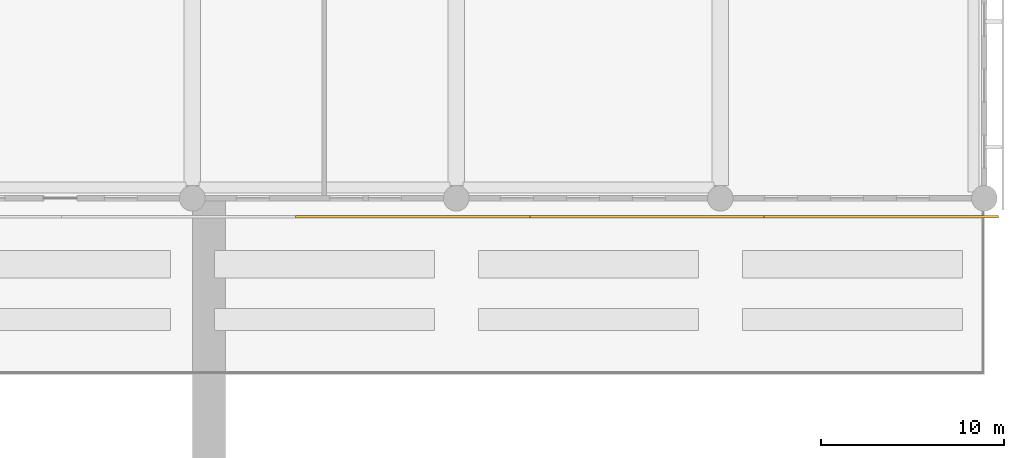
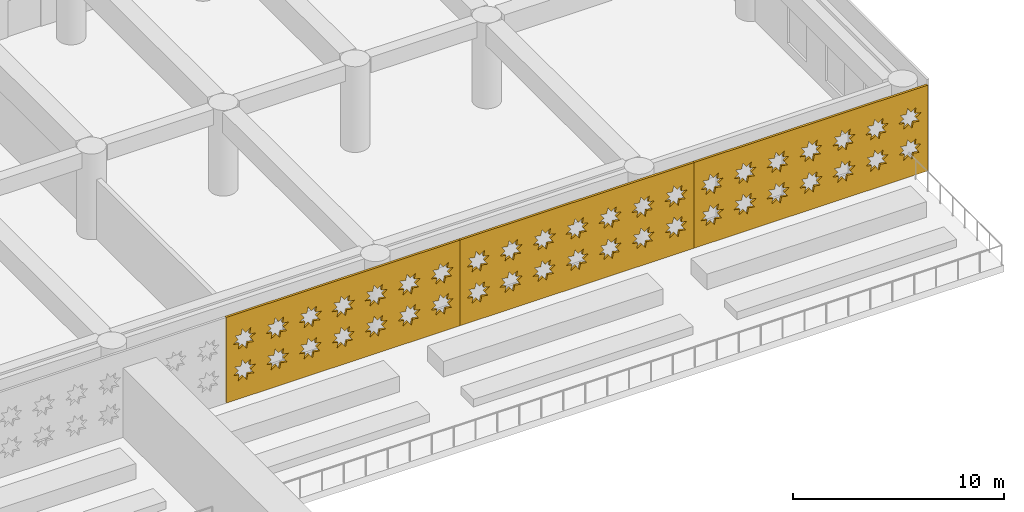
# One storey, part 17 of 24: 3 coverings.
"""IFC4 building model written with IfcOpenShell, lengths in metres."""

from ifc_helpers import new_model, si_unit, direction, frame, origin, place, context, subcontext, project, spatial, polyline, outline, extrude, material, layer, layer_set, type_object, element, save


model = new_model("IFC4")

# Units and contexts
model_context = context("Model", 3, precision=1e-05, world=origin(), true_north=direction((0.0, 1.0)))
body_context = subcontext(model_context, "Body", "Model", "MODEL_VIEW")
ifc_project = project(units=[si_unit("LENGTHUNIT", "METRE"), si_unit("AREAUNIT", "SQUARE_METRE"), si_unit("VOLUMEUNIT", "CUBIC_METRE"), si_unit("PLANEANGLEUNIT", "RADIAN"), si_unit("MASSUNIT", "GRAM", prefix="KILO")], contexts=[model_context])

# Site, building, storey
site_placement = place(None, origin())
site = spatial("IfcSite", under=ifc_project, at=site_placement, CompositionType="ELEMENT")
building_placement = place(site_placement, origin())
building = spatial("IfcBuilding", under=site, at=building_placement, Name="Saffron Iwan Residences", CompositionType="ELEMENT")
storey_placement = place(building_placement, frame((0.0, 0.0, 21.60009765625)))
storey = spatial("IfcBuildingStorey", under=building, at=storey_placement, Name="L04", CompositionType="ELEMENT", Elevation=21.60009765625)

# Coverings
ifc_material = material(Name="Terracotta screen, precast concrete C40/50", Category="masonry")
ifc_layer = layer(ifc_material, 0.1201171875)
ifc_layer_set = layer_set([ifc_layer], Name="Terracotta screen, precast concrete C40/50")
covering_type = type_object("IfcCoveringType", Name="PODIUM SCREEN GIRIH", PredefinedType="CLADDING", material=ifc_layer_set)
covering_1_placement = place(storey_placement, frame((63.237548828125, 18.25, 0.0), z_axis=(0.0, -1.0, 0.0), x_axis=(1.0, 0.0, 0.0)))
element("IfcCovering", 1, at=covering_1_placement, inside=storey, type_object=covering_type, Name="SCREEN girih terracotta L04 F0.5", PredefinedType="CLADDING", context=body_context, shape_type="SweptSolid", body=[
    extrude(outline(polyline([(0.0, 0.0), (12.777587890625, 0.0), (12.777587890625, 4.949951171875), (0.0, 4.949951171875), (0.0, 0.0)]), holes=[polyline([(1.5966796875, 1.696044921875), (1.271484375, 1.763916015625), (1.333251953125, 2.090576171875), (1.05517578125, 1.908447265625), (0.867919921875, 2.18310546875), (0.7998046875, 1.857666015625), (0.47314453125, 1.91943359375), (0.6552734375, 1.641357421875), (0.380615234375, 1.4541015625), (0.7060546875, 1.385986328125), (0.644287109375, 1.0595703125), (0.92236328125, 1.241455078125), (1.109619140625, 0.966796875), (1.177490234375, 1.292236328125), (1.50439453125, 1.23046875), (1.322265625, 1.5087890625), (1.5966796875, 1.696044921875)]), polyline([(1.5966796875, 3.49609375), (1.271484375, 3.56396484375), (1.333251953125, 3.890380859375), (1.05517578125, 3.70849609375), (0.867919921875, 3.983154296875), (0.7998046875, 3.65771484375), (0.47314453125, 3.719482421875), (0.6552734375, 3.44140625), (0.380615234375, 3.25390625), (0.7060546875, 3.18603515625), (0.644287109375, 2.859619140625), (0.92236328125, 3.04150390625), (1.109619140625, 2.766845703125), (1.177490234375, 3.09228515625), (1.50439453125, 3.030517578125), (1.322265625, 3.30859375), (1.5966796875, 3.49609375)]), polyline([(3.396728515625, 1.696044921875), (3.0712890625, 1.763916015625), (3.13330078125, 2.090576171875), (2.85498046875, 1.908447265625), (2.667724609375, 2.18310546875), (2.599853515625, 1.857666015625), (2.273193359375, 1.91943359375), (2.455322265625, 1.641357421875), (2.1806640625, 1.4541015625), (2.506103515625, 1.385986328125), (2.4443359375, 1.0595703125), (2.722412109375, 1.241455078125), (2.90966796875, 0.966796875), (2.9775390625, 1.292236328125), (3.30419921875, 1.23046875), (3.122314453125, 1.5087890625), (3.396728515625, 1.696044921875)]), polyline([(3.396728515625, 3.49609375), (3.0712890625, 3.56396484375), (3.13330078125, 3.890380859375), (2.85498046875, 3.70849609375), (2.667724609375, 3.983154296875), (2.599853515625, 3.65771484375), (2.273193359375, 3.719482421875), (2.455322265625, 3.44140625), (2.1806640625, 3.25390625), (2.506103515625, 3.18603515625), (2.4443359375, 2.859619140625), (2.722412109375, 3.04150390625), (2.90966796875, 2.766845703125), (2.9775390625, 3.09228515625), (3.30419921875, 3.030517578125), (3.122314453125, 3.30859375), (3.396728515625, 3.49609375)]), polyline([(5.19677734375, 1.696044921875), (4.871337890625, 1.763916015625), (4.93310546875, 2.090576171875), (4.655029296875, 1.908447265625), (4.4677734375, 2.18310546875), (4.39990234375, 1.857666015625), (4.0732421875, 1.91943359375), (4.25537109375, 1.641357421875), (3.980712890625, 1.4541015625), (4.30615234375, 1.385986328125), (4.244384765625, 1.0595703125), (4.5224609375, 1.241455078125), (4.709716796875, 0.966796875), (4.777587890625, 1.292236328125), (5.104248046875, 1.23046875), (4.922119140625, 1.5087890625), (5.19677734375, 1.696044921875)]), polyline([(5.19677734375, 3.49609375), (4.871337890625, 3.56396484375), (4.93310546875, 3.890380859375), (4.655029296875, 3.70849609375), (4.4677734375, 3.983154296875), (4.39990234375, 3.65771484375), (4.0732421875, 3.719482421875), (4.25537109375, 3.44140625), (3.980712890625, 3.25390625), (4.30615234375, 3.18603515625), (4.244384765625, 2.859619140625), (4.5224609375, 3.04150390625), (4.709716796875, 2.766845703125), (4.777587890625, 3.09228515625), (5.104248046875, 3.030517578125), (4.922119140625, 3.30859375), (5.19677734375, 3.49609375)]), polyline([(6.996826171875, 1.696044921875), (6.67138671875, 1.763916015625), (6.733154296875, 2.090576171875), (6.455078125, 1.908447265625), (6.267822265625, 2.18310546875), (6.199951171875, 1.857666015625), (5.873291015625, 1.91943359375), (6.055419921875, 1.641357421875), (5.78076171875, 1.4541015625), (6.106201171875, 1.385986328125), (6.044189453125, 1.0595703125), (6.322509765625, 1.241455078125), (6.509765625, 0.966796875), (6.57763671875, 1.292236328125), (6.904296875, 1.23046875), (6.72216796875, 1.5087890625), (6.996826171875, 1.696044921875)]), polyline([(6.996826171875, 3.49609375), (6.67138671875, 3.56396484375), (6.733154296875, 3.890380859375), (6.455078125, 3.70849609375), (6.267822265625, 3.983154296875), (6.199951171875, 3.65771484375), (5.873291015625, 3.719482421875), (6.055419921875, 3.44140625), (5.78076171875, 3.25390625), (6.106201171875, 3.18603515625), (6.044189453125, 2.859619140625), (6.322509765625, 3.04150390625), (6.509765625, 2.766845703125), (6.57763671875, 3.09228515625), (6.904296875, 3.030517578125), (6.72216796875, 3.30859375), (6.996826171875, 3.49609375)]), polyline([(8.796875, 1.696044921875), (8.471435546875, 1.763916015625), (8.533203125, 2.090576171875), (8.255126953125, 1.908447265625), (8.06787109375, 2.18310546875), (8.0, 1.857666015625), (7.673095703125, 1.91943359375), (7.855224609375, 1.641357421875), (7.580810546875, 1.4541015625), (7.906005859375, 1.385986328125), (7.84423828125, 1.0595703125), (8.122314453125, 1.241455078125), (8.309814453125, 0.966796875), (8.377685546875, 1.292236328125), (8.704345703125, 1.23046875), (8.522216796875, 1.5087890625), (8.796875, 1.696044921875)]), polyline([(8.796875, 3.49609375), (8.471435546875, 3.56396484375), (8.533203125, 3.890380859375), (8.255126953125, 3.70849609375), (8.06787109375, 3.983154296875), (8.0, 3.65771484375), (7.673095703125, 3.719482421875), (7.855224609375, 3.44140625), (7.580810546875, 3.25390625), (7.906005859375, 3.18603515625), (7.84423828125, 2.859619140625), (8.122314453125, 3.04150390625), (8.309814453125, 2.766845703125), (8.377685546875, 3.09228515625), (8.704345703125, 3.030517578125), (8.522216796875, 3.30859375), (8.796875, 3.49609375)]), polyline([(10.5966796875, 1.696044921875), (10.271484375, 1.763916015625), (10.333251953125, 2.090576171875), (10.05517578125, 1.908447265625), (9.867919921875, 2.18310546875), (9.7998046875, 1.857666015625), (9.47314453125, 1.91943359375), (9.6552734375, 1.641357421875), (9.380615234375, 1.4541015625), (9.7060546875, 1.385986328125), (9.644287109375, 1.0595703125), (9.92236328125, 1.241455078125), (10.109619140625, 0.966796875), (10.177490234375, 1.292236328125), (10.50439453125, 1.23046875), (10.322265625, 1.5087890625), (10.5966796875, 1.696044921875)]), polyline([(10.5966796875, 3.49609375), (10.271484375, 3.56396484375), (10.333251953125, 3.890380859375), (10.05517578125, 3.70849609375), (9.867919921875, 3.983154296875), (9.7998046875, 3.65771484375), (9.47314453125, 3.719482421875), (9.6552734375, 3.44140625), (9.380615234375, 3.25390625), (9.7060546875, 3.18603515625), (9.644287109375, 2.859619140625), (9.92236328125, 3.04150390625), (10.109619140625, 2.766845703125), (10.177490234375, 3.09228515625), (10.50439453125, 3.030517578125), (10.322265625, 3.30859375), (10.5966796875, 3.49609375)]), polyline([(12.396728515625, 1.696044921875), (12.0712890625, 1.763916015625), (12.13330078125, 2.090576171875), (11.85498046875, 1.908447265625), (11.667724609375, 2.18310546875), (11.599853515625, 1.857666015625), (11.273193359375, 1.91943359375), (11.455322265625, 1.641357421875), (11.1806640625, 1.4541015625), (11.506103515625, 1.385986328125), (11.4443359375, 1.0595703125), (11.722412109375, 1.241455078125), (11.90966796875, 0.966796875), (11.9775390625, 1.292236328125), (12.30419921875, 1.23046875), (12.122314453125, 1.5087890625), (12.396728515625, 1.696044921875)]), polyline([(12.396728515625, 3.49609375), (12.0712890625, 3.56396484375), (12.13330078125, 3.890380859375), (11.85498046875, 3.70849609375), (11.667724609375, 3.983154296875), (11.599853515625, 3.65771484375), (11.273193359375, 3.719482421875), (11.455322265625, 3.44140625), (11.1806640625, 3.25390625), (11.506103515625, 3.18603515625), (11.4443359375, 2.859619140625), (11.722412109375, 3.04150390625), (11.90966796875, 2.766845703125), (11.9775390625, 3.09228515625), (12.30419921875, 3.030517578125), (12.122314453125, 3.30859375), (12.396728515625, 3.49609375)])]), origin(), (0.0, 0.0, 1.0), 0.1201171875),
])
covering_2_placement = place(storey_placement, frame((76.014892578125, 18.25, 0.0), z_axis=(0.0, -1.0, 0.0), x_axis=(1.0, 0.0, 0.0)))
element("IfcCovering", 2, at=covering_2_placement, inside=storey, type_object=covering_type, Name="SCREEN girih terracotta L04 F0.6", PredefinedType="CLADDING", context=body_context, shape_type="SweptSolid", body=[
    extrude(outline(polyline([(0.0, 0.0), (12.777587890625, 0.0), (12.777587890625, 4.949951171875), (0.0, 4.949951171875), (0.0, 0.0)]), holes=[polyline([(1.5966796875, 1.696044921875), (1.271484375, 1.763916015625), (1.333251953125, 2.090576171875), (1.05517578125, 1.908447265625), (0.867919921875, 2.18310546875), (0.7998046875, 1.857666015625), (0.47314453125, 1.91943359375), (0.6552734375, 1.641357421875), (0.380615234375, 1.4541015625), (0.7060546875, 1.385986328125), (0.644287109375, 1.0595703125), (0.92236328125, 1.241455078125), (1.109619140625, 0.966796875), (1.177490234375, 1.292236328125), (1.50439453125, 1.23046875), (1.322265625, 1.5087890625), (1.5966796875, 1.696044921875)]), polyline([(1.5966796875, 3.49609375), (1.271484375, 3.56396484375), (1.333251953125, 3.890380859375), (1.05517578125, 3.70849609375), (0.867919921875, 3.983154296875), (0.7998046875, 3.65771484375), (0.47314453125, 3.719482421875), (0.6552734375, 3.44140625), (0.380615234375, 3.25390625), (0.7060546875, 3.18603515625), (0.644287109375, 2.859619140625), (0.92236328125, 3.04150390625), (1.109619140625, 2.766845703125), (1.177490234375, 3.09228515625), (1.50439453125, 3.030517578125), (1.322265625, 3.30859375), (1.5966796875, 3.49609375)]), polyline([(3.396728515625, 1.696044921875), (3.0712890625, 1.763916015625), (3.13330078125, 2.090576171875), (2.85498046875, 1.908447265625), (2.667724609375, 2.18310546875), (2.599853515625, 1.857666015625), (2.273193359375, 1.91943359375), (2.455322265625, 1.641357421875), (2.1806640625, 1.4541015625), (2.506103515625, 1.385986328125), (2.4443359375, 1.0595703125), (2.722412109375, 1.241455078125), (2.90966796875, 0.966796875), (2.9775390625, 1.292236328125), (3.30419921875, 1.23046875), (3.122314453125, 1.5087890625), (3.396728515625, 1.696044921875)]), polyline([(3.396728515625, 3.49609375), (3.0712890625, 3.56396484375), (3.13330078125, 3.890380859375), (2.85498046875, 3.70849609375), (2.667724609375, 3.983154296875), (2.599853515625, 3.65771484375), (2.273193359375, 3.719482421875), (2.455322265625, 3.44140625), (2.1806640625, 3.25390625), (2.506103515625, 3.18603515625), (2.4443359375, 2.859619140625), (2.722412109375, 3.04150390625), (2.90966796875, 2.766845703125), (2.9775390625, 3.09228515625), (3.30419921875, 3.030517578125), (3.122314453125, 3.30859375), (3.396728515625, 3.49609375)]), polyline([(5.19677734375, 1.696044921875), (4.871337890625, 1.763916015625), (4.93310546875, 2.090576171875), (4.655029296875, 1.908447265625), (4.4677734375, 2.18310546875), (4.39990234375, 1.857666015625), (4.0732421875, 1.91943359375), (4.25537109375, 1.641357421875), (3.980712890625, 1.4541015625), (4.30615234375, 1.385986328125), (4.244384765625, 1.0595703125), (4.5224609375, 1.241455078125), (4.709716796875, 0.966796875), (4.777587890625, 1.292236328125), (5.104248046875, 1.23046875), (4.922119140625, 1.5087890625), (5.19677734375, 1.696044921875)]), polyline([(5.19677734375, 3.49609375), (4.871337890625, 3.56396484375), (4.93310546875, 3.890380859375), (4.655029296875, 3.70849609375), (4.4677734375, 3.983154296875), (4.39990234375, 3.65771484375), (4.0732421875, 3.719482421875), (4.25537109375, 3.44140625), (3.980712890625, 3.25390625), (4.30615234375, 3.18603515625), (4.244384765625, 2.859619140625), (4.5224609375, 3.04150390625), (4.709716796875, 2.766845703125), (4.777587890625, 3.09228515625), (5.104248046875, 3.030517578125), (4.922119140625, 3.30859375), (5.19677734375, 3.49609375)]), polyline([(6.996826171875, 1.696044921875), (6.67138671875, 1.763916015625), (6.733154296875, 2.090576171875), (6.455078125, 1.908447265625), (6.267822265625, 2.18310546875), (6.199951171875, 1.857666015625), (5.873291015625, 1.91943359375), (6.055419921875, 1.641357421875), (5.78076171875, 1.4541015625), (6.106201171875, 1.385986328125), (6.044189453125, 1.0595703125), (6.322509765625, 1.241455078125), (6.509765625, 0.966796875), (6.57763671875, 1.292236328125), (6.904296875, 1.23046875), (6.72216796875, 1.5087890625), (6.996826171875, 1.696044921875)]), polyline([(6.996826171875, 3.49609375), (6.67138671875, 3.56396484375), (6.733154296875, 3.890380859375), (6.455078125, 3.70849609375), (6.267822265625, 3.983154296875), (6.199951171875, 3.65771484375), (5.873291015625, 3.719482421875), (6.055419921875, 3.44140625), (5.78076171875, 3.25390625), (6.106201171875, 3.18603515625), (6.044189453125, 2.859619140625), (6.322509765625, 3.04150390625), (6.509765625, 2.766845703125), (6.57763671875, 3.09228515625), (6.904296875, 3.030517578125), (6.72216796875, 3.30859375), (6.996826171875, 3.49609375)]), polyline([(8.796875, 1.696044921875), (8.471435546875, 1.763916015625), (8.533203125, 2.090576171875), (8.255126953125, 1.908447265625), (8.06787109375, 2.18310546875), (8.0, 1.857666015625), (7.673095703125, 1.91943359375), (7.855224609375, 1.641357421875), (7.580810546875, 1.4541015625), (7.906005859375, 1.385986328125), (7.84423828125, 1.0595703125), (8.122314453125, 1.241455078125), (8.309814453125, 0.966796875), (8.377685546875, 1.292236328125), (8.704345703125, 1.23046875), (8.522216796875, 1.5087890625), (8.796875, 1.696044921875)]), polyline([(8.796875, 3.49609375), (8.471435546875, 3.56396484375), (8.533203125, 3.890380859375), (8.255126953125, 3.70849609375), (8.06787109375, 3.983154296875), (8.0, 3.65771484375), (7.673095703125, 3.719482421875), (7.855224609375, 3.44140625), (7.580810546875, 3.25390625), (7.906005859375, 3.18603515625), (7.84423828125, 2.859619140625), (8.122314453125, 3.04150390625), (8.309814453125, 2.766845703125), (8.377685546875, 3.09228515625), (8.704345703125, 3.030517578125), (8.522216796875, 3.30859375), (8.796875, 3.49609375)]), polyline([(10.5966796875, 1.696044921875), (10.271484375, 1.763916015625), (10.333251953125, 2.090576171875), (10.05517578125, 1.908447265625), (9.867919921875, 2.18310546875), (9.7998046875, 1.857666015625), (9.47314453125, 1.91943359375), (9.6552734375, 1.641357421875), (9.380615234375, 1.4541015625), (9.7060546875, 1.385986328125), (9.644287109375, 1.0595703125), (9.92236328125, 1.241455078125), (10.109619140625, 0.966796875), (10.177490234375, 1.292236328125), (10.50439453125, 1.23046875), (10.322265625, 1.5087890625), (10.5966796875, 1.696044921875)]), polyline([(10.5966796875, 3.49609375), (10.271484375, 3.56396484375), (10.333251953125, 3.890380859375), (10.05517578125, 3.70849609375), (9.867919921875, 3.983154296875), (9.7998046875, 3.65771484375), (9.47314453125, 3.719482421875), (9.6552734375, 3.44140625), (9.380615234375, 3.25390625), (9.7060546875, 3.18603515625), (9.644287109375, 2.859619140625), (9.92236328125, 3.04150390625), (10.109619140625, 2.766845703125), (10.177490234375, 3.09228515625), (10.50439453125, 3.030517578125), (10.322265625, 3.30859375), (10.5966796875, 3.49609375)]), polyline([(12.396728515625, 1.696044921875), (12.0712890625, 1.763916015625), (12.13330078125, 2.090576171875), (11.85498046875, 1.908447265625), (11.667724609375, 2.18310546875), (11.599853515625, 1.857666015625), (11.273193359375, 1.91943359375), (11.455322265625, 1.641357421875), (11.1806640625, 1.4541015625), (11.506103515625, 1.385986328125), (11.4443359375, 1.0595703125), (11.722412109375, 1.241455078125), (11.90966796875, 0.966796875), (11.9775390625, 1.292236328125), (12.30419921875, 1.23046875), (12.122314453125, 1.5087890625), (12.396728515625, 1.696044921875)]), polyline([(12.396728515625, 3.49609375), (12.0712890625, 3.56396484375), (12.13330078125, 3.890380859375), (11.85498046875, 3.70849609375), (11.667724609375, 3.983154296875), (11.599853515625, 3.65771484375), (11.273193359375, 3.719482421875), (11.455322265625, 3.44140625), (11.1806640625, 3.25390625), (11.506103515625, 3.18603515625), (11.4443359375, 2.859619140625), (11.722412109375, 3.04150390625), (11.90966796875, 2.766845703125), (11.9775390625, 3.09228515625), (12.30419921875, 3.030517578125), (12.122314453125, 3.30859375), (12.396728515625, 3.49609375)])]), origin(), (0.0, 0.0, 1.0), 0.1201171875),
])
covering_3_placement = place(storey_placement, frame((88.79248046875, 18.25, 0.0), z_axis=(0.0, -1.0, 0.0), x_axis=(1.0, 0.0, 0.0)))
element("IfcCovering", 3, at=covering_3_placement, inside=storey, type_object=covering_type, Name="SCREEN girih terracotta L04 F0.7", PredefinedType="CLADDING", context=body_context, shape_type="SweptSolid", body=[
    extrude(outline(polyline([(0.0, 0.0), (12.777587890625, 0.0), (12.777587890625, 4.949951171875), (0.0, 4.949951171875), (0.0, 0.0)]), holes=[polyline([(1.5966796875, 1.696044921875), (1.271484375, 1.763916015625), (1.333251953125, 2.090576171875), (1.05517578125, 1.908447265625), (0.867919921875, 2.18310546875), (0.7998046875, 1.857666015625), (0.47314453125, 1.91943359375), (0.6552734375, 1.641357421875), (0.380615234375, 1.4541015625), (0.7060546875, 1.385986328125), (0.644287109375, 1.0595703125), (0.92236328125, 1.241455078125), (1.109619140625, 0.966796875), (1.177490234375, 1.292236328125), (1.50439453125, 1.23046875), (1.322265625, 1.5087890625), (1.5966796875, 1.696044921875)]), polyline([(1.5966796875, 3.49609375), (1.271484375, 3.56396484375), (1.333251953125, 3.890380859375), (1.05517578125, 3.70849609375), (0.867919921875, 3.983154296875), (0.7998046875, 3.65771484375), (0.47314453125, 3.719482421875), (0.6552734375, 3.44140625), (0.380615234375, 3.25390625), (0.7060546875, 3.18603515625), (0.644287109375, 2.859619140625), (0.92236328125, 3.04150390625), (1.109619140625, 2.766845703125), (1.177490234375, 3.09228515625), (1.50439453125, 3.030517578125), (1.322265625, 3.30859375), (1.5966796875, 3.49609375)]), polyline([(3.396728515625, 1.696044921875), (3.0712890625, 1.763916015625), (3.13330078125, 2.090576171875), (2.85498046875, 1.908447265625), (2.667724609375, 2.18310546875), (2.599853515625, 1.857666015625), (2.273193359375, 1.91943359375), (2.455322265625, 1.641357421875), (2.1806640625, 1.4541015625), (2.506103515625, 1.385986328125), (2.4443359375, 1.0595703125), (2.722412109375, 1.241455078125), (2.90966796875, 0.966796875), (2.9775390625, 1.292236328125), (3.30419921875, 1.23046875), (3.122314453125, 1.5087890625), (3.396728515625, 1.696044921875)]), polyline([(3.396728515625, 3.49609375), (3.0712890625, 3.56396484375), (3.13330078125, 3.890380859375), (2.85498046875, 3.70849609375), (2.667724609375, 3.983154296875), (2.599853515625, 3.65771484375), (2.273193359375, 3.719482421875), (2.455322265625, 3.44140625), (2.1806640625, 3.25390625), (2.506103515625, 3.18603515625), (2.4443359375, 2.859619140625), (2.722412109375, 3.04150390625), (2.90966796875, 2.766845703125), (2.9775390625, 3.09228515625), (3.30419921875, 3.030517578125), (3.122314453125, 3.30859375), (3.396728515625, 3.49609375)]), polyline([(5.19677734375, 1.696044921875), (4.871337890625, 1.763916015625), (4.93310546875, 2.090576171875), (4.655029296875, 1.908447265625), (4.4677734375, 2.18310546875), (4.39990234375, 1.857666015625), (4.0732421875, 1.91943359375), (4.25537109375, 1.641357421875), (3.980712890625, 1.4541015625), (4.30615234375, 1.385986328125), (4.244384765625, 1.0595703125), (4.5224609375, 1.241455078125), (4.709716796875, 0.966796875), (4.777587890625, 1.292236328125), (5.104248046875, 1.23046875), (4.922119140625, 1.5087890625), (5.19677734375, 1.696044921875)]), polyline([(5.19677734375, 3.49609375), (4.871337890625, 3.56396484375), (4.93310546875, 3.890380859375), (4.655029296875, 3.70849609375), (4.4677734375, 3.983154296875), (4.39990234375, 3.65771484375), (4.0732421875, 3.719482421875), (4.25537109375, 3.44140625), (3.980712890625, 3.25390625), (4.30615234375, 3.18603515625), (4.244384765625, 2.859619140625), (4.5224609375, 3.04150390625), (4.709716796875, 2.766845703125), (4.777587890625, 3.09228515625), (5.104248046875, 3.030517578125), (4.922119140625, 3.30859375), (5.19677734375, 3.49609375)]), polyline([(6.996826171875, 1.696044921875), (6.67138671875, 1.763916015625), (6.733154296875, 2.090576171875), (6.455078125, 1.908447265625), (6.267822265625, 2.18310546875), (6.199951171875, 1.857666015625), (5.873291015625, 1.91943359375), (6.055419921875, 1.641357421875), (5.78076171875, 1.4541015625), (6.106201171875, 1.385986328125), (6.044189453125, 1.0595703125), (6.322509765625, 1.241455078125), (6.509765625, 0.966796875), (6.57763671875, 1.292236328125), (6.904296875, 1.23046875), (6.72216796875, 1.5087890625), (6.996826171875, 1.696044921875)]), polyline([(6.996826171875, 3.49609375), (6.67138671875, 3.56396484375), (6.733154296875, 3.890380859375), (6.455078125, 3.70849609375), (6.267822265625, 3.983154296875), (6.199951171875, 3.65771484375), (5.873291015625, 3.719482421875), (6.055419921875, 3.44140625), (5.78076171875, 3.25390625), (6.106201171875, 3.18603515625), (6.044189453125, 2.859619140625), (6.322509765625, 3.04150390625), (6.509765625, 2.766845703125), (6.57763671875, 3.09228515625), (6.904296875, 3.030517578125), (6.72216796875, 3.30859375), (6.996826171875, 3.49609375)]), polyline([(8.796875, 1.696044921875), (8.471435546875, 1.763916015625), (8.533203125, 2.090576171875), (8.255126953125, 1.908447265625), (8.06787109375, 2.18310546875), (8.0, 1.857666015625), (7.673095703125, 1.91943359375), (7.855224609375, 1.641357421875), (7.580810546875, 1.4541015625), (7.906005859375, 1.385986328125), (7.84423828125, 1.0595703125), (8.122314453125, 1.241455078125), (8.309814453125, 0.966796875), (8.377685546875, 1.292236328125), (8.704345703125, 1.23046875), (8.522216796875, 1.5087890625), (8.796875, 1.696044921875)]), polyline([(8.796875, 3.49609375), (8.471435546875, 3.56396484375), (8.533203125, 3.890380859375), (8.255126953125, 3.70849609375), (8.06787109375, 3.983154296875), (8.0, 3.65771484375), (7.673095703125, 3.719482421875), (7.855224609375, 3.44140625), (7.580810546875, 3.25390625), (7.906005859375, 3.18603515625), (7.84423828125, 2.859619140625), (8.122314453125, 3.04150390625), (8.309814453125, 2.766845703125), (8.377685546875, 3.09228515625), (8.704345703125, 3.030517578125), (8.522216796875, 3.30859375), (8.796875, 3.49609375)]), polyline([(10.5966796875, 1.696044921875), (10.271484375, 1.763916015625), (10.333251953125, 2.090576171875), (10.05517578125, 1.908447265625), (9.867919921875, 2.18310546875), (9.7998046875, 1.857666015625), (9.47314453125, 1.91943359375), (9.6552734375, 1.641357421875), (9.380615234375, 1.4541015625), (9.7060546875, 1.385986328125), (9.644287109375, 1.0595703125), (9.92236328125, 1.241455078125), (10.109619140625, 0.966796875), (10.177490234375, 1.292236328125), (10.50439453125, 1.23046875), (10.322265625, 1.5087890625), (10.5966796875, 1.696044921875)]), polyline([(10.5966796875, 3.49609375), (10.271484375, 3.56396484375), (10.333251953125, 3.890380859375), (10.05517578125, 3.70849609375), (9.867919921875, 3.983154296875), (9.7998046875, 3.65771484375), (9.47314453125, 3.719482421875), (9.6552734375, 3.44140625), (9.380615234375, 3.25390625), (9.7060546875, 3.18603515625), (9.644287109375, 2.859619140625), (9.92236328125, 3.04150390625), (10.109619140625, 2.766845703125), (10.177490234375, 3.09228515625), (10.50439453125, 3.030517578125), (10.322265625, 3.30859375), (10.5966796875, 3.49609375)]), polyline([(12.396728515625, 1.696044921875), (12.0712890625, 1.763916015625), (12.13330078125, 2.090576171875), (11.85498046875, 1.908447265625), (11.667724609375, 2.18310546875), (11.599853515625, 1.857666015625), (11.273193359375, 1.91943359375), (11.455322265625, 1.641357421875), (11.1806640625, 1.4541015625), (11.506103515625, 1.385986328125), (11.4443359375, 1.0595703125), (11.722412109375, 1.241455078125), (11.90966796875, 0.966796875), (11.9775390625, 1.292236328125), (12.30419921875, 1.23046875), (12.122314453125, 1.5087890625), (12.396728515625, 1.696044921875)]), polyline([(12.396728515625, 3.49609375), (12.0712890625, 3.56396484375), (12.13330078125, 3.890380859375), (11.85498046875, 3.70849609375), (11.667724609375, 3.983154296875), (11.599853515625, 3.65771484375), (11.273193359375, 3.719482421875), (11.455322265625, 3.44140625), (11.1806640625, 3.25390625), (11.506103515625, 3.18603515625), (11.4443359375, 2.859619140625), (11.722412109375, 3.04150390625), (11.90966796875, 2.766845703125), (11.9775390625, 3.09228515625), (12.30419921875, 3.030517578125), (12.122314453125, 3.30859375), (12.396728515625, 3.49609375)])]), origin(), (0.0, 0.0, 1.0), 0.1201171875),
])

save(model, "model.ifc")
